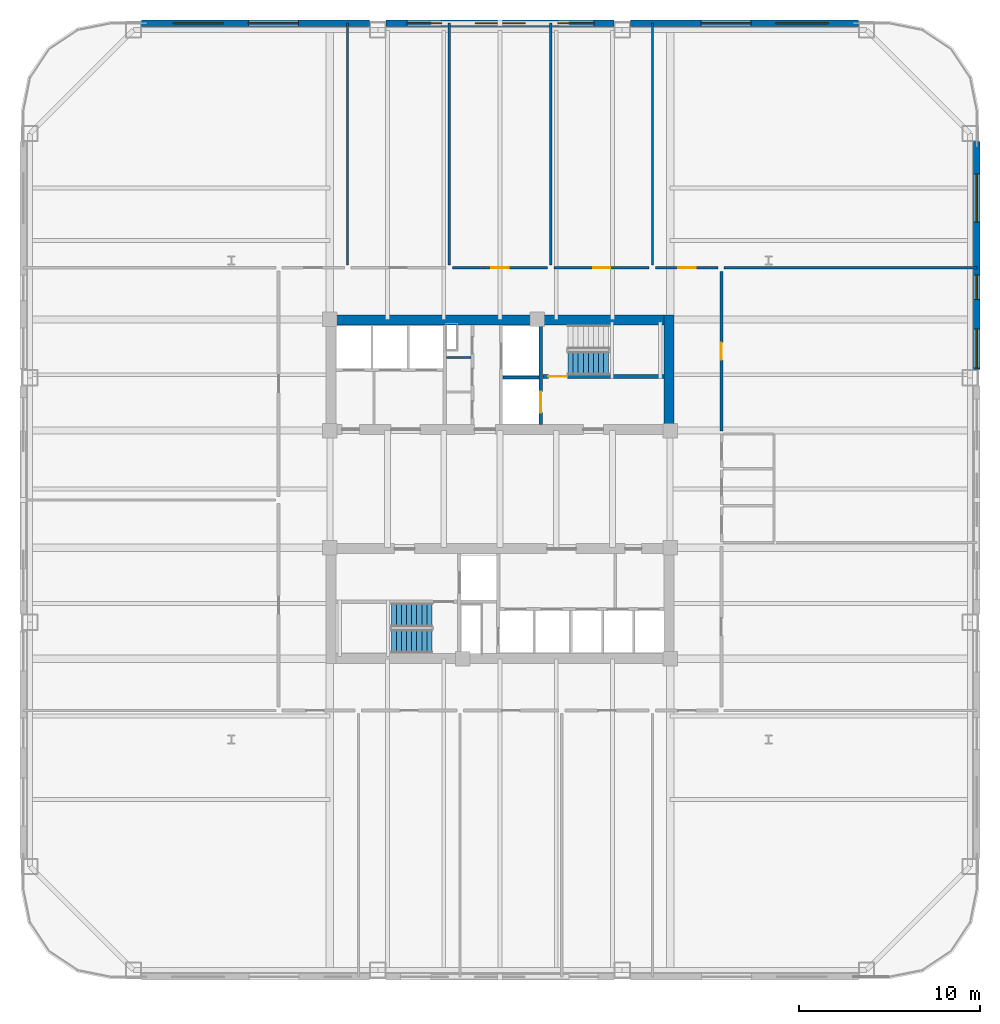
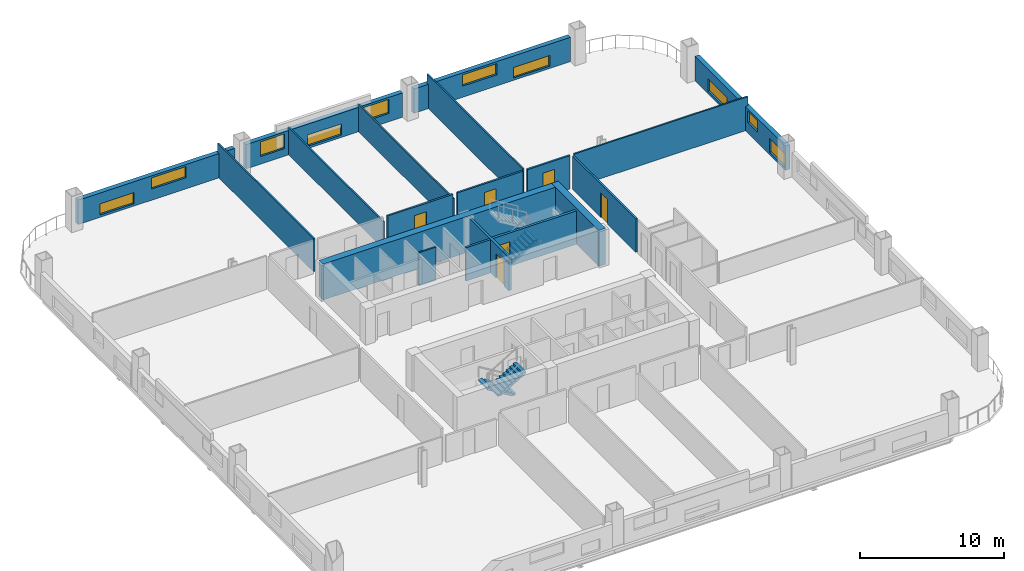
# One storey, part 5 of 12: 19 walls, 10 windows, 6 doors, 3 stair flights, 16 openings, 2 elements without a shape of their own.
"""IFC4 building model written with IfcOpenShell, lengths in metres."""

from ifc_helpers import new_model, si_unit, direction, frame, frame_2d, origin, place, context, subcontext, project, spatial, polyline, rectangle, outline, extrude, material, layer, layer_set, type_object, element, fill, aggregate, save


model = new_model("IFC4")

# Units and contexts
model_context = context("Model", 3, precision=1e-05, world=origin(), true_north=direction((0.0, 1.0)))
body_context = subcontext(model_context, "Body", "Model", "MODEL_VIEW")
ifc_project = project(units=[si_unit("LENGTHUNIT", "METRE"), si_unit("AREAUNIT", "SQUARE_METRE"), si_unit("VOLUMEUNIT", "CUBIC_METRE"), si_unit("PLANEANGLEUNIT", "RADIAN"), si_unit("MASSUNIT", "GRAM", prefix="KILO")], contexts=[model_context])

# Site, building, storey
site_placement = place(None, origin())
site = spatial("IfcSite", under=ifc_project, at=site_placement, CompositionType="ELEMENT")
building_placement = place(site_placement, origin())
building = spatial("IfcBuilding", under=site, at=building_placement, Name="Qhalaya Broadcast Tower", CompositionType="ELEMENT")
storey_placement = place(building_placement, frame((0.0, 0.0, 35.25)))
storey = spatial("IfcBuildingStorey", under=building, at=storey_placement, Name="L09", CompositionType="ELEMENT", Elevation=35.25)

# Wall, opening, door
ifc_material_1 = material(Name="Gypsum Acoustic Partition")
ifc_layer_1 = layer(ifc_material_1, 0.14990234375, Name="Gypsum Acoustic Partition")
ifc_layer_set_1 = layer_set([ifc_layer_1], Name="Gypsum Acoustic Partition")
wall_type_1 = type_object("IfcWallType", Name="Corridor & Tenancy Acoustic Partition 150", PredefinedType="PARTITIONING", material=ifc_layer_set_1)
wall_1_placement = place(storey_placement, frame((-2.6201171875, 12.800048828125, 0.0), z_axis=(0.0, 0.0, 1.0), x_axis=(1.0, 0.0, 0.0)))
wall_1 = element("IfcWall", 1, at=wall_1_placement, inside=storey, type_object=wall_type_1, Name="L09 Partition Wall W-COR-03", PredefinedType="PARTITIONING", context=body_context, shape_type="SweptSolid", body=[
    extrude(rectangle(XDim=5.240234375, YDim=0.14990234375, at=frame_2d((2.6201171875, 0.0))), origin(), (0.0, 0.0, 1.0), 2.830078125),
])
opening_1_placement = place(wall_1_placement, frame((2.14501953125, 0.0, 0.0)))
opening_1 = element("IfcOpeningElement", 2, at=opening_1_placement, cuts=wall_1, Name="Opening D10", PredefinedType="OPENING", context=body_context, shape_type="SweptSolid", body=[
    extrude(rectangle(XDim=0.949951171875, YDim=2.10009765625, at=frame_2d((0.47509765625, 1.050048828125))), frame((0.0, 0.0869140625, 0.0), z_axis=(0.0, -1.0, 0.0), x_axis=(1.0, 0.0, 0.0)), (0.0, 0.0, 1.0), 0.173828125),
])
ifc_material_2 = material(Name="Timber Veneer Acoustic Door", Category="wood")
door_type_1 = type_object("IfcDoorType", Name="Cellular Office & Edit Booth Door D10", OperationType="NOTDEFINED", PredefinedType="DOOR", material=ifc_material_2)
door_1_placement = place(opening_1_placement, origin())
door_1 = element("IfcDoor", 3, at=door_1_placement, inside=storey, type_object=door_type_1, Name="L09 Door D-RM03", OperationType="SINGLE_SWING_LEFT", OverallHeight=2.10009765625, OverallWidth=0.949951171875, PredefinedType="DOOR", context=body_context, shape_type="SweptSolid", body=[
    extrude(rectangle(XDim=0.949951171875, YDim=2.10009765625, at=frame_2d((0.47509765625, 1.050048828125))), frame((0.0, 0.02490234375, 0.0), z_axis=(0.0, -1.0, 0.0), x_axis=(1.0, 0.0, 0.0)), (0.0, 0.0, 1.0), 0.050048828125),
])
fill(opening_1, door_1)

wall_2_placement = place(storey_placement, frame((2.97998046875, 12.800048828125, 0.0), z_axis=(0.0, 0.0, 1.0), x_axis=(1.0, 0.0, 0.0)))
wall_2 = element("IfcWall", 4, at=wall_2_placement, inside=storey, type_object=wall_type_1, Name="L09 Partition Wall W-COR-04", PredefinedType="PARTITIONING", context=body_context, shape_type="SweptSolid", body=[
    extrude(rectangle(XDim=5.239990234375, YDim=0.14990234375, at=frame_2d((2.6201171875, 0.0))), origin(), (0.0, 0.0, 1.0), 2.830078125),
])
opening_2_placement = place(wall_2_placement, frame((2.14501953125, 0.0, 0.0)))
opening_2 = element("IfcOpeningElement", 5, at=opening_2_placement, cuts=wall_2, Name="Opening D10", PredefinedType="OPENING", context=body_context, shape_type="SweptSolid", body=[
    extrude(rectangle(XDim=0.949951171875, YDim=2.10009765625, at=frame_2d((0.47509765625, 1.050048828125))), frame((0.0, 0.0869140625, 0.0), z_axis=(0.0, -1.0, 0.0), x_axis=(1.0, 0.0, 0.0)), (0.0, 0.0, 1.0), 0.173828125),
])
door_2_placement = place(opening_2_placement, origin())
door_2 = element("IfcDoor", 6, at=door_2_placement, inside=storey, type_object=door_type_1, Name="L09 Door D-RM04", OperationType="SINGLE_SWING_RIGHT", OverallHeight=2.10009765625, OverallWidth=0.949951171875, PredefinedType="DOOR", context=body_context, shape_type="SweptSolid", body=[
    extrude(rectangle(XDim=0.949951171875, YDim=2.10009765625, at=frame_2d((0.47509765625, 1.050048828125))), frame((0.0, 0.02490234375, 0.0), z_axis=(0.0, -1.0, 0.0), x_axis=(1.0, 0.0, 0.0)), (0.0, 0.0, 1.0), 0.050048828125),
])
fill(opening_2, door_2)

wall_3_placement = place(storey_placement, frame((8.580078125, 12.800048828125, 0.0), z_axis=(0.0, 0.0, 1.0), x_axis=(1.0, 0.0, 0.0)))
wall_3 = element("IfcWall", 7, at=wall_3_placement, inside=storey, type_object=wall_type_1, Name="L09 Partition Wall W-COR-05", PredefinedType="PARTITIONING", context=body_context, shape_type="SweptSolid", body=[
    extrude(rectangle(XDim=3.43994140625, YDim=0.14990234375, at=frame_2d((1.719970703125, 0.0))), origin(), (0.0, 0.0, 1.0), 2.830078125),
])
opening_3_placement = place(wall_3_placement, frame((1.2451171875, 0.0, 0.0)))
opening_3 = element("IfcOpeningElement", 8, at=opening_3_placement, cuts=wall_3, Name="Opening D10", PredefinedType="OPENING", context=body_context, shape_type="SweptSolid", body=[
    extrude(rectangle(XDim=0.949951171875, YDim=2.10009765625, at=frame_2d((0.47509765625, 1.050048828125))), frame((0.0, 0.0869140625, 0.0), z_axis=(0.0, -1.0, 0.0), x_axis=(1.0, 0.0, 0.0)), (0.0, 0.0, 1.0), 0.173828125),
])
door_3_placement = place(opening_3_placement, origin())
door_3 = element("IfcDoor", 9, at=door_3_placement, inside=storey, type_object=door_type_1, Name="L09 Door D-RM05", OperationType="SINGLE_SWING_LEFT", OverallHeight=2.10009765625, OverallWidth=0.949951171875, PredefinedType="DOOR", context=body_context, shape_type="SweptSolid", body=[
    extrude(rectangle(XDim=0.949951171875, YDim=2.10009765625, at=frame_2d((0.47509765625, 1.050048828125))), frame((0.0, 0.02490234375, 0.0), z_axis=(0.0, -1.0, 0.0), x_axis=(1.0, 0.0, 0.0)), (0.0, 0.0, 1.0), 0.050048828125),
])
fill(opening_3, door_3)

wall_4_placement = place(storey_placement, frame((12.199951171875, 3.800048828125, 0.0), z_axis=(0.0, 0.0, 1.0), x_axis=(0.0, 1.0, 0.0)))
wall_4 = element("IfcWall", 10, at=wall_4_placement, inside=storey, type_object=wall_type_1, Name="L09 Partition Wall W-COR-14", PredefinedType="PARTITIONING", context=body_context, shape_type="SweptSolid", body=[
    extrude(rectangle(XDim=8.800048828125, YDim=0.14990234375, at=frame_2d((4.39990234375, 0.0))), origin(), (0.0, 0.0, 1.0), 2.830078125),
])
opening_4_placement = place(wall_4_placement, frame((3.925048828125, 0.0, 0.0)))
opening_4 = element("IfcOpeningElement", 11, at=opening_4_placement, cuts=wall_4, Name="Opening D10", PredefinedType="OPENING", context=body_context, shape_type="SweptSolid", body=[
    extrude(rectangle(XDim=0.949951171875, YDim=2.10009765625, at=frame_2d((0.47509765625, 1.050048828125))), frame((0.0, 0.0869140625, 0.0), z_axis=(0.0, -1.0, 0.0), x_axis=(1.0, 0.0, 0.0)), (0.0, 0.0, 1.0), 0.173828125),
])
door_4_placement = place(opening_4_placement, origin())
door_4 = element("IfcDoor", 12, at=door_4_placement, inside=storey, type_object=door_type_1, Name="L09 Door D-RM14", OperationType="SINGLE_SWING_RIGHT", OverallHeight=2.10009765625, OverallWidth=0.949951171875, PredefinedType="DOOR", context=body_context, shape_type="SweptSolid", body=[
    extrude(rectangle(XDim=0.949951171875, YDim=2.10009765625, at=frame_2d((0.47509765625, 1.050048828125))), frame((0.0, 0.02490234375, 0.0), z_axis=(0.0, -1.0, 0.0), x_axis=(1.0, 0.0, 0.0)), (0.0, 0.0, 1.0), 0.050048828125),
])
fill(opening_4, door_4)

# Wall, openings, windows
ifc_material_3 = material(Name="Precast Concrete C40/50", Category="concrete")
ifc_layer_2 = layer(ifc_material_3, 0.360107421875, Name="Precast Concrete C40/50")
ifc_layer_set_2 = layer_set([ifc_layer_2], Name="Precast Concrete C40/50")
wall_type_2 = type_object("IfcWallType", Name="Insulated Precast Terracotta Exterior Wall 360", PredefinedType="SOLIDWALL", material=ifc_layer_set_2)
wall_5_placement = place(storey_placement, frame((26.260009765625, 19.761962890625, 0.0), z_axis=(0.0, 0.0, 1.0), x_axis=(0.0, -1.0, 0.0)))
wall_5 = element("IfcWall", 13, at=wall_5_placement, inside=storey, type_object=wall_type_2, Name="L09 Exoskeleton Diagrid Infill Wall E1", PredefinedType="SOLIDWALL", context=body_context, shape_type="SweptSolid", body=[
    extrude(rectangle(XDim=12.57861328125, YDim=0.360107421875, at=frame_2d((6.289306640625, 0.0))), origin(), (0.0, 0.0, 1.0), 2.06689453125),
])
opening_5_placement = place(wall_5_placement, frame((1.800048828125, 0.0, 0.199951171875)))
opening_5 = element("IfcOpeningElement", 14, at=opening_5_placement, cuts=wall_5, Name="Opening W11", PredefinedType="OPENING", context=body_context, shape_type="SweptSolid", body=[
    extrude(rectangle(XDim=2.64990234375, YDim=1.050048828125, at=frame_2d((1.324951171875, 0.52490234375))), frame((0.0, 0.192138671875, 0.0), z_axis=(0.0, -1.0, 0.0), x_axis=(1.0, 0.0, 0.0)), (0.0, 0.0, 1.0), 0.384033203125),
])
opening_6_placement = place(wall_5_placement, frame((7.35009765625, 0.0, 0.89990234375)))
opening_6 = element("IfcOpeningElement", 15, at=opening_6_placement, cuts=wall_5, Name="Opening W11", PredefinedType="OPENING", context=body_context, shape_type="SweptSolid", body=[
    extrude(rectangle(XDim=1.35009765625, YDim=1.0, at=frame_2d((0.675048828125, 0.5))), frame((0.0, 0.192138671875, 0.0), z_axis=(0.0, -1.0, 0.0), x_axis=(1.0, 0.0, 0.0)), (0.0, 0.0, 1.0), 0.384033203125),
])
opening_7_placement = place(wall_5_placement, frame((10.35009765625, 0.0, 0.199951171875)))
opening_7 = element("IfcOpeningElement", 16, at=opening_7_placement, cuts=wall_5, Name="Opening W11", PredefinedType="OPENING", context=body_context, shape_type="SweptSolid", body=[
    extrude(rectangle(XDim=2.14990234375, YDim=1.199951171875, at=frame_2d((1.074951171875, 0.60009765625))), frame((0.0, 0.192138671875, 0.0), z_axis=(0.0, -1.0, 0.0), x_axis=(1.0, 0.0, 0.0)), (0.0, 0.0, 1.0), 0.384033203125),
])
ifc_material_4 = material(Name="Solar-Control Low-E Triple Glazing", Category="glass")
window_type = type_object("IfcWindowType", Name="Odd-Block Diagrid Infill Window W11", PartitioningType="SINGLE_PANEL", PredefinedType="WINDOW", material=ifc_material_4)
window_1_placement = place(opening_5_placement, origin())
window_1 = element("IfcWindow", 17, at=window_1_placement, inside=storey, type_object=window_type, Name="L09 Diagrid Infill Window W11-E1", OverallHeight=1.050048828125, OverallWidth=2.64990234375, PartitioningType="SINGLE_PANEL", PredefinedType="WINDOW", context=body_context, shape_type="SweptSolid", body=[
    extrude(rectangle(XDim=2.64990234375, YDim=1.050048828125, at=frame_2d((1.324951171875, 0.52490234375))), frame((0.0, 0.030029296875, 0.0), z_axis=(0.0, -1.0, 0.0), x_axis=(1.0, 0.0, 0.0)), (0.0, 0.0, 1.0), 0.06005859375),
])
fill(opening_5, window_1)
window_2_placement = place(opening_6_placement, origin())
window_2 = element("IfcWindow", 18, at=window_2_placement, inside=storey, type_object=window_type, Name="L09 Diagrid Infill Window W11-E2", OverallHeight=1.0, OverallWidth=1.35009765625, PartitioningType="SINGLE_PANEL", PredefinedType="WINDOW", context=body_context, shape_type="SweptSolid", body=[
    extrude(rectangle(XDim=1.35009765625, YDim=1.0, at=frame_2d((0.675048828125, 0.5))), frame((0.0, 0.030029296875, 0.0), z_axis=(0.0, -1.0, 0.0), x_axis=(1.0, 0.0, 0.0)), (0.0, 0.0, 1.0), 0.06005859375),
])
fill(opening_6, window_2)
window_3_placement = place(opening_7_placement, origin())
window_3 = element("IfcWindow", 19, at=window_3_placement, inside=storey, type_object=window_type, Name="L09 Diagrid Infill Window W11-E3", OverallHeight=1.199951171875, OverallWidth=2.14990234375, PartitioningType="SINGLE_PANEL", PredefinedType="WINDOW", context=body_context, shape_type="SweptSolid", body=[
    extrude(rectangle(XDim=2.14990234375, YDim=1.199951171875, at=frame_2d((1.074951171875, 0.60009765625))), frame((0.0, 0.030029296875, 0.0), z_axis=(0.0, -1.0, 0.0), x_axis=(1.0, 0.0, 0.0)), (0.0, 0.0, 1.0), 0.06005859375),
])
fill(opening_7, window_3)

wall_6_placement = place(storey_placement, frame((-19.761962890625, 26.260009765625, 0.0), z_axis=(0.0, 0.0, 1.0), x_axis=(1.0, 0.0, 0.0)))
wall_6 = element("IfcWall", 20, at=wall_6_placement, inside=storey, type_object=wall_type_2, Name="L09 Exoskeleton Diagrid Infill Wall N1", PredefinedType="SOLIDWALL", context=body_context, shape_type="SweptSolid", body=[
    extrude(rectangle(XDim=12.57861328125, YDim=0.360107421875, at=frame_2d((6.289306640625, 0.0))), origin(), (0.0, 0.0, 1.0), 2.06689453125),
])
opening_8_placement = place(wall_6_placement, frame((1.75, 0.0, 0.199951171875)))
opening_8 = element("IfcOpeningElement", 21, at=opening_8_placement, cuts=wall_6, Name="Opening W11", PredefinedType="OPENING", context=body_context, shape_type="SweptSolid", body=[
    extrude(rectangle(XDim=2.75, YDim=0.949951171875, at=frame_2d((1.375, 0.47509765625))), frame((0.0, 0.192138671875, 0.0), z_axis=(0.0, -1.0, 0.0), x_axis=(1.0, 0.0, 0.0)), (0.0, 0.0, 1.0), 0.384033203125),
])
opening_9_placement = place(wall_6_placement, frame((5.89990234375, 0.0, 0.949951171875)))
opening_9 = element("IfcOpeningElement", 22, at=opening_9_placement, cuts=wall_6, Name="Opening W11", PredefinedType="OPENING", context=body_context, shape_type="SweptSolid", body=[
    extrude(rectangle(XDim=2.75, YDim=0.949951171875, at=frame_2d((1.375, 0.47509765625))), frame((0.0, 0.192138671875, 0.0), z_axis=(0.0, -1.0, 0.0), x_axis=(1.0, 0.0, 0.0)), (0.0, 0.0, 1.0), 0.384033203125),
])
window_4_placement = place(opening_8_placement, origin())
window_4 = element("IfcWindow", 23, at=window_4_placement, inside=storey, type_object=window_type, Name="L09 Diagrid Infill Window W11-N1", OverallHeight=0.949951171875, OverallWidth=2.75, PartitioningType="SINGLE_PANEL", PredefinedType="WINDOW", context=body_context, shape_type="SweptSolid", body=[
    extrude(rectangle(XDim=2.75, YDim=0.949951171875, at=frame_2d((1.375, 0.47509765625))), frame((0.0, 0.030029296875, 0.0), z_axis=(0.0, -1.0, 0.0), x_axis=(1.0, 0.0, 0.0)), (0.0, 0.0, 1.0), 0.06005859375),
])
fill(opening_8, window_4)
window_5_placement = place(opening_9_placement, origin())
window_5 = element("IfcWindow", 24, at=window_5_placement, inside=storey, type_object=window_type, Name="L09 Diagrid Infill Window W11-N2", OverallHeight=0.949951171875, OverallWidth=2.75, PartitioningType="SINGLE_PANEL", PredefinedType="WINDOW", context=body_context, shape_type="SweptSolid", body=[
    extrude(rectangle(XDim=2.75, YDim=0.949951171875, at=frame_2d((1.375, 0.47509765625))), frame((0.0, 0.030029296875, 0.0), z_axis=(0.0, -1.0, 0.0), x_axis=(1.0, 0.0, 0.0)), (0.0, 0.0, 1.0), 0.06005859375),
])
fill(opening_9, window_5)

wall_7_placement = place(storey_placement, frame((-6.283203125, 26.260009765625, 0.0), z_axis=(0.0, 0.0, 1.0), x_axis=(1.0, 0.0, 0.0)))
wall_7 = element("IfcWall", 25, at=wall_7_placement, inside=storey, type_object=wall_type_2, Name="L09 Exoskeleton Diagrid Infill Wall N2", PredefinedType="SOLIDWALL", context=body_context, shape_type="SweptSolid", body=[
    extrude(rectangle(XDim=12.56640625, YDim=0.360107421875, at=frame_2d((6.283203125, 0.0))), origin(), (0.0, 0.0, 1.0), 2.06689453125),
])
opening_10_placement = place(wall_7_placement, frame((1.1708984375, 0.0, 0.64990234375)))
opening_10 = element("IfcOpeningElement", 26, at=opening_10_placement, cuts=wall_7, Name="Opening W11", PredefinedType="OPENING", context=body_context, shape_type="SweptSolid", body=[
    extrude(rectangle(XDim=1.89990234375, YDim=1.25, at=frame_2d((0.949951171875, 0.625))), frame((0.0, 0.192138671875, 0.0), z_axis=(0.0, -1.0, 0.0), x_axis=(1.0, 0.0, 0.0)), (0.0, 0.0, 1.0), 0.384033203125),
])
opening_11_placement = place(wall_7_placement, frame((4.9208984375, 0.0, 0.199951171875)))
opening_11 = element("IfcOpeningElement", 27, at=opening_11_placement, cuts=wall_7, Name="Opening W11", PredefinedType="OPENING", context=body_context, shape_type="SweptSolid", body=[
    extrude(rectangle(XDim=2.75, YDim=0.949951171875, at=frame_2d((1.375, 0.47509765625))), frame((0.0, 0.192138671875, 0.0), z_axis=(0.0, -1.0, 0.0), x_axis=(1.0, 0.0, 0.0)), (0.0, 0.0, 1.0), 0.384033203125),
])
opening_12_placement = place(wall_7_placement, frame((9.470947265625, 0.0, 0.699951171875)))
opening_12 = element("IfcOpeningElement", 28, at=opening_12_placement, cuts=wall_7, Name="Opening W11", PredefinedType="OPENING", context=body_context, shape_type="SweptSolid", body=[
    extrude(rectangle(XDim=2.0, YDim=1.199951171875, at=frame_2d((1.0, 0.60009765625))), frame((0.0, 0.192138671875, 0.0), z_axis=(0.0, -1.0, 0.0), x_axis=(1.0, 0.0, 0.0)), (0.0, 0.0, 1.0), 0.384033203125),
])
window_6_placement = place(opening_10_placement, origin())
window_6 = element("IfcWindow", 29, at=window_6_placement, inside=storey, type_object=window_type, Name="L09 Diagrid Infill Window W11-N3", OverallHeight=1.25, OverallWidth=1.89990234375, PartitioningType="SINGLE_PANEL", PredefinedType="WINDOW", context=body_context, shape_type="SweptSolid", body=[
    extrude(rectangle(XDim=1.89990234375, YDim=1.25, at=frame_2d((0.949951171875, 0.625))), frame((0.0, 0.030029296875, 0.0), z_axis=(0.0, -1.0, 0.0), x_axis=(1.0, 0.0, 0.0)), (0.0, 0.0, 1.0), 0.06005859375),
])
fill(opening_10, window_6)
window_7_placement = place(opening_11_placement, origin())
window_7 = element("IfcWindow", 30, at=window_7_placement, inside=storey, type_object=window_type, Name="L09 Diagrid Infill Window W11-N4", OverallHeight=0.949951171875, OverallWidth=2.75, PartitioningType="SINGLE_PANEL", PredefinedType="WINDOW", context=body_context, shape_type="SweptSolid", body=[
    extrude(rectangle(XDim=2.75, YDim=0.949951171875, at=frame_2d((1.375, 0.47509765625))), frame((0.0, 0.030029296875, 0.0), z_axis=(0.0, -1.0, 0.0), x_axis=(1.0, 0.0, 0.0)), (0.0, 0.0, 1.0), 0.06005859375),
])
fill(opening_11, window_7)
window_8_placement = place(opening_12_placement, origin())
window_8 = element("IfcWindow", 31, at=window_8_placement, inside=storey, type_object=window_type, Name="L09 Diagrid Infill Window W11-N5", OverallHeight=1.199951171875, OverallWidth=2.0, PartitioningType="SINGLE_PANEL", PredefinedType="WINDOW", context=body_context, shape_type="SweptSolid", body=[
    extrude(rectangle(XDim=2.0, YDim=1.199951171875, at=frame_2d((1.0, 0.60009765625))), frame((0.0, 0.030029296875, 0.0), z_axis=(0.0, -1.0, 0.0), x_axis=(1.0, 0.0, 0.0)), (0.0, 0.0, 1.0), 0.06005859375),
])
fill(opening_12, window_8)

wall_8_placement = place(storey_placement, frame((7.183349609375, 26.260009765625, 0.0), z_axis=(0.0, 0.0, 1.0), x_axis=(1.0, 0.0, 0.0)))
wall_8 = element("IfcWall", 32, at=wall_8_placement, inside=storey, type_object=wall_type_2, Name="L09 Exoskeleton Diagrid Infill Wall N3", PredefinedType="SOLIDWALL", context=body_context, shape_type="SweptSolid", body=[
    extrude(rectangle(XDim=12.57861328125, YDim=0.360107421875, at=frame_2d((6.289306640625, 0.0))), origin(), (0.0, 0.0, 1.0), 2.06689453125),
])
opening_13_placement = place(wall_8_placement, frame((3.905029296875, 0.0, 0.949951171875)))
opening_13 = element("IfcOpeningElement", 33, at=opening_13_placement, cuts=wall_8, Name="Opening W11", PredefinedType="OPENING", context=body_context, shape_type="SweptSolid", body=[
    extrude(rectangle(XDim=2.75, YDim=0.949951171875, at=frame_2d((1.375, 0.47509765625))), frame((0.0, 0.192138671875, 0.0), z_axis=(0.0, -1.0, 0.0), x_axis=(1.0, 0.0, 0.0)), (0.0, 0.0, 1.0), 0.384033203125),
])
opening_14_placement = place(wall_8_placement, frame((8.0048828125, 0.0, 0.199951171875)))
opening_14 = element("IfcOpeningElement", 34, at=opening_14_placement, cuts=wall_8, Name="Opening W11", PredefinedType="OPENING", context=body_context, shape_type="SweptSolid", body=[
    extrude(rectangle(XDim=2.89990234375, YDim=0.89990234375, at=frame_2d((1.449951171875, 0.449951171875))), frame((0.0, 0.192138671875, 0.0), z_axis=(0.0, -1.0, 0.0), x_axis=(1.0, 0.0, 0.0)), (0.0, 0.0, 1.0), 0.384033203125),
])
window_9_placement = place(opening_13_placement, origin())
window_9 = element("IfcWindow", 35, at=window_9_placement, inside=storey, type_object=window_type, Name="L09 Diagrid Infill Window W11-N6", OverallHeight=0.949951171875, OverallWidth=2.75, PartitioningType="SINGLE_PANEL", PredefinedType="WINDOW", context=body_context, shape_type="SweptSolid", body=[
    extrude(rectangle(XDim=2.75, YDim=0.949951171875, at=frame_2d((1.375, 0.47509765625))), frame((0.0, 0.030029296875, 0.0), z_axis=(0.0, -1.0, 0.0), x_axis=(1.0, 0.0, 0.0)), (0.0, 0.0, 1.0), 0.06005859375),
])
fill(opening_13, window_9)
window_10_placement = place(opening_14_placement, origin())
window_10 = element("IfcWindow", 36, at=window_10_placement, inside=storey, type_object=window_type, Name="L09 Diagrid Infill Window W11-N7", OverallHeight=0.89990234375, OverallWidth=2.89990234375, PartitioningType="SINGLE_PANEL", PredefinedType="WINDOW", context=body_context, shape_type="SweptSolid", body=[
    extrude(rectangle(XDim=2.89990234375, YDim=0.89990234375, at=frame_2d((1.449951171875, 0.449951171875))), frame((0.0, 0.030029296875, 0.0), z_axis=(0.0, -1.0, 0.0), x_axis=(1.0, 0.0, 0.0)), (0.0, 0.0, 1.0), 0.06005859375),
])
fill(opening_14, window_10)

# Wall, opening, door
ifc_material_5 = material(Name="Concrete C50/60", Category="concrete")
ifc_layer_3 = layer(ifc_material_5, 0.199951171875, Name="Concrete C50/60")
ifc_layer_set_3 = layer_set([ifc_layer_3], Name="Concrete C50/60")
wall_type_3 = type_object("IfcWallType", Name="Load-Bearing Stair Shaft Wall 200", PredefinedType="SHEAR", material=ifc_layer_set_3)
wall_9_placement = place(storey_placement, frame((2.360107421875, 6.804931640625, 0.0), z_axis=(0.0, 0.0, 1.0), x_axis=(1.0, 0.0, 0.0)))
wall_9 = element("IfcWall", 37, at=wall_9_placement, inside=storey, type_object=wall_type_3, Name="L09 Stair Core Shear Wall NCW-ST1", PredefinedType="SHEAR", context=body_context, shape_type="SweptSolid", body=[
    extrude(rectangle(XDim=6.669921875, YDim=0.199951171875, at=frame_2d((3.3349609375, 0.0))), origin(), (0.0, 0.0, 1.0), 2.830078125),
])
opening_15_placement = place(wall_9_placement, frame((0.300048828125, 0.0, 0.0)))
opening_15 = element("IfcOpeningElement", 38, at=opening_15_placement, cuts=wall_9, Name="Opening D03", PredefinedType="OPENING", context=body_context, shape_type="SweptSolid", body=[
    extrude(rectangle(XDim=1.050048828125, YDim=2.080078125, at=frame_2d((0.52490234375, 1.0400390625))), frame((0.0, 0.112060546875, 0.0), z_axis=(0.0, -1.0, 0.0), x_axis=(1.0, 0.0, 0.0)), (0.0, 0.0, 1.0), 0.223876953125),
])
ifc_material_6 = material(Name="Fire-Rated Steel Door", Category="steel")
door_type_2 = type_object("IfcDoorType", Name="Core Stair Protected Fire Door D03", OperationType="NOTDEFINED", PredefinedType="DOOR", material=ifc_material_6)
door_5_placement = place(opening_15_placement, origin())
door_5 = element("IfcDoor", 39, at=door_5_placement, inside=storey, type_object=door_type_2, Name="L09 Door D-NST1", OperationType="SINGLE_SWING_LEFT", OverallHeight=2.080078125, OverallWidth=1.050048828125, PredefinedType="DOOR", context=body_context, shape_type="SweptSolid", body=[
    extrude(rectangle(XDim=1.050048828125, YDim=2.080078125, at=frame_2d((0.52490234375, 1.0400390625))), frame((0.0, 0.02490234375, 0.0), z_axis=(0.0, -1.0, 0.0), x_axis=(1.0, 0.0, 0.0)), (0.0, 0.0, 1.0), 0.050048828125),
])
fill(opening_15, door_5)

wall_10_placement = place(storey_placement, frame((2.25, 4.169921875, 0.0), z_axis=(0.0, 0.0, 1.0), x_axis=(0.0, 1.0, 0.0)))
wall_10 = element("IfcWall", 40, at=wall_10_placement, inside=storey, type_object=wall_type_3, Name="L09 Stair Core Shear Wall NCW-FF", PredefinedType="SHEAR", context=body_context, shape_type="SweptSolid", body=[
    extrude(rectangle(XDim=5.4599609375, YDim=0.199951171875, at=frame_2d((2.72998046875, 0.0))), origin(), (0.0, 0.0, 1.0), 2.830078125),
])
opening_16_placement = place(wall_10_placement, frame((0.64990234375, 0.0, 0.0)))
opening_16 = element("IfcOpeningElement", 41, at=opening_16_placement, cuts=wall_10, Name="Opening LD2", PredefinedType="OPENING", context=body_context, shape_type="SweptSolid", body=[
    extrude(rectangle(XDim=1.14990234375, YDim=2.080078125, at=frame_2d((0.574951171875, 1.0400390625))), frame((0.0, 0.112060546875, 0.0), z_axis=(0.0, -1.0, 0.0), x_axis=(1.0, 0.0, 0.0)), (0.0, 0.0, 1.0), 0.223876953125),
])
ifc_material_7 = material(Name="Brushed Stainless Steel Lift Door", Category="steel")
door_type_3 = type_object("IfcDoorType", Name="Firefighting Lift Sliding Landing Door LD2", OperationType="DOUBLE_DOOR_SLIDING", PredefinedType="DOOR", material=ifc_material_7)
door_6_placement = place(opening_16_placement, origin())
door_6 = element("IfcDoor", 42, at=door_6_placement, inside=storey, type_object=door_type_3, Name="L09 Door LD-FF1", OperationType="DOUBLE_DOOR_SLIDING", OverallHeight=2.080078125, OverallWidth=1.14990234375, PredefinedType="DOOR", context=body_context, shape_type="SweptSolid", body=[
    extrude(rectangle(XDim=1.14990234375, YDim=2.080078125, at=frame_2d((0.574951171875, 1.0400390625))), frame((0.0, 0.02490234375, 0.0), z_axis=(0.0, -1.0, 0.0), x_axis=(1.0, 0.0, 0.0)), (0.0, 0.0, 1.0), 0.050048828125),
])
fill(opening_16, door_6)

# Walls
ifc_material_8 = material(Name="Concrete C60/75", Category="concrete")
ifc_layer_4 = layer(ifc_material_8, 0.550048828125, Name="Concrete C60/75")
ifc_layer_set_4 = layer_set([ifc_layer_4], Name="Concrete C60/75")
wall_type_4 = type_object("IfcWallType", Name="Lower Split-Core Shear Wall 550", PredefinedType="SHEAR", material=ifc_layer_set_4)
wall_11_placement = place(storey_placement, frame((-9.60009765625, 9.925048828125, 0.0), z_axis=(0.0, 0.0, 1.0), x_axis=(1.0, 0.0, 0.0)))
element("IfcWall", 43, at=wall_11_placement, inside=storey, type_object=wall_type_4, Name="L09 Split-Core Shear Wall CW-NN", PredefinedType="SHEAR", context=body_context, shape_type="SweptSolid", body=[
    extrude(rectangle(XDim=19.2001953125, YDim=0.550048828125, at=frame_2d((9.60009765625, 0.0))), origin(), (0.0, 0.0, 1.0), 3.050048828125),
])
wall_12_placement = place(storey_placement, frame((9.324951171875, 3.60009765625, 0.0), z_axis=(0.0, 0.0, 1.0), x_axis=(0.0, 1.0, 0.0)))
element("IfcWall", 44, at=wall_12_placement, inside=storey, type_object=wall_type_4, Name="L09 Split-Core Shear Wall CW-NE", PredefinedType="SHEAR", context=body_context, shape_type="SweptSolid", body=[
    extrude(rectangle(XDim=6.599853515625, YDim=0.550048828125, at=frame_2d((3.2998046875, 0.0))), origin(), (0.0, 0.0, 1.0), 3.050048828125),
])
ifc_layer_5 = layer(ifc_material_1, 0.1201171875, Name="Gypsum Acoustic Partition")
ifc_layer_set_5 = layer_set([ifc_layer_5], Name="Gypsum Acoustic Partition")
wall_type_5 = type_object("IfcWallType", Name="Office, Booth & Sanitary Partition 120", PredefinedType="PARTITIONING", material=ifc_layer_set_5)
wall_13_placement = place(storey_placement, frame((-2.9599609375, 7.85009765625, 0.0), z_axis=(0.0, 0.0, 1.0), x_axis=(1.0, 0.0, 0.0)))
element("IfcWall", 45, at=wall_13_placement, inside=storey, type_object=wall_type_5, Name="L09 Partition Wall NCW-VB2", PredefinedType="PARTITIONING", context=body_context, shape_type="SweptSolid", body=[
    extrude(rectangle(XDim=1.35986328125, YDim=0.1201171875, at=frame_2d((0.679931640625, 0.0))), origin(), (0.0, 0.0, 1.0), 2.830078125),
])
wall_14_placement = place(storey_placement, frame((12.340087890625, 12.800048828125, 0.0), z_axis=(0.0, 0.0, 1.0), x_axis=(1.0, 0.0, 0.0)))
element("IfcWall", 46, at=wall_14_placement, inside=storey, type_object=wall_type_5, Name="L09 Partition Wall W-BNDE1", PredefinedType="PARTITIONING", context=body_context, shape_type="SweptSolid", body=[
    extrude(rectangle(XDim=13.93994140625, YDim=0.1201171875, at=frame_2d((6.969970703125, 0.0))), origin(), (0.0, 0.0, 1.0), 2.830078125),
])
wall_15_placement = place(storey_placement, frame((-8.39990234375, 12.9599609375, 0.0), z_axis=(0.0, 0.0, 1.0), x_axis=(0.0, 1.0, 0.0)))
element("IfcWall", 47, at=wall_15_placement, inside=storey, type_object=wall_type_5, Name="L09 Partition Wall W-DIVN1", PredefinedType="PARTITIONING", context=body_context, shape_type="SweptSolid", body=[
    extrude(rectangle(XDim=13.320068359375, YDim=0.1201171875, at=frame_2d((6.66015625, 0.0))), origin(), (0.0, 0.0, 1.0), 2.830078125),
])
for number, where, z_axis, x_axis, name in (
    (48, (-2.800048828125, 12.9599609375, 0.0), (0.0, 0.0, 1.0), (0.0, 1.0, 0.0), "L09 Partition Wall W-DIVN2"),
    (49, (2.800048828125, 12.9599609375, 0.0), (0.0, 0.0, 1.0), (0.0, 1.0, 0.0), "L09 Partition Wall W-DIVN3"),
):
    element("IfcWall", number, at=place(storey_placement, frame(where, z_axis=z_axis, x_axis=x_axis)), inside=storey, type_object=wall_type_5, Name=name, PredefinedType="PARTITIONING", context=body_context, shape_type="SweptSolid", body=[
        extrude(rectangle(XDim=13.320068359375, YDim=0.1201171875, at=frame_2d((6.66015625, 0.0))), origin(), (0.0, 0.0, 1.0), 2.27392578125),
    ])
wall_16_placement = place(storey_placement, frame((8.39990234375, 12.9599609375, 0.0), z_axis=(0.0, 0.0, 1.0), x_axis=(0.0, 1.0, 0.0)))
element("IfcWall", 50, at=wall_16_placement, inside=storey, type_object=wall_type_5, Name="L09 Partition Wall W-DIVN4", PredefinedType="PARTITIONING", context=body_context, shape_type="SweptSolid", body=[
    extrude(rectangle(XDim=13.320068359375, YDim=0.1201171875, at=frame_2d((6.66015625, 0.0))), origin(), (0.0, 0.0, 1.0), 2.830078125),
])
ifc_layer_6 = layer(ifc_material_1, 0.175048828125, Name="Gypsum Acoustic Partition")
ifc_layer_set_6 = layer_set([ifc_layer_6], Name="Gypsum Acoustic Partition")
wall_type_6 = type_object("IfcWallType", Name="Shaft & Riser Fire Partition 175", PredefinedType="PARTITIONING", material=ifc_layer_set_6)
wall_17_placement = place(storey_placement, frame((0.159912109375, 6.75, 0.0), z_axis=(0.0, 0.0, 1.0), x_axis=(1.0, 0.0, 0.0)))
element("IfcWall", 51, at=wall_17_placement, inside=storey, type_object=wall_type_6, Name="L09 Partition Wall NCW-SVM", PredefinedType="PARTITIONING", context=body_context, shape_type="SweptSolid", body=[
    extrude(rectangle(XDim=1.97998046875, YDim=0.175048828125, at=frame_2d((0.989990234375, 0.0))), origin(), (0.0, 0.0, 1.0), 2.830078125),
])

# Stair, stair flight
ifc_material_9 = material(Name="Concrete C40/50", Category="concrete")
stair_type = type_object("IfcStairType", Name="Protected Dogleg Core Stair 3150", PredefinedType="TWO_STRAIGHT_RUN_STAIR", material=ifc_material_9)
stair_1_placement = place(storey_placement, origin())
stair_1 = element("IfcStair", 52, at=stair_1_placement, inside=storey, type_object=stair_type, Name="L09 North Core Exit Stair ST-1", PredefinedType="TWO_STRAIGHT_RUN_STAIR")
stair_flight_type = type_object("IfcStairFlightType", Name="Precast Concrete Stair Flight 3150", PredefinedType="STRAIGHT", material=ifc_material_3)
stair_flight_1_placement = place(storey_placement, frame((3.75, 7.5400390625, 0.0), z_axis=(0.0, 0.0, 1.0), x_axis=(1.0, 0.0, 0.0)))
stair_flight_1 = element("IfcStairFlight", 53, at=stair_flight_1_placement, type_object=stair_flight_type, Name="ST-1 flight 1", NumberOfRisers=9, NumberOfTreads=8, PredefinedType="STRAIGHT", RiserHeight=0.169444444, TreadLength=0.28, context=body_context, shape_type="SweptSolid", body=[
    extrude(outline(polyline([(0.0, 0.0), (0.0, 0.16943359375), (0.280029296875, 0.16943359375), (0.280029296875, 0.3388671875), (0.56005859375, 0.3388671875), (0.56005859375, 0.50830078125), (0.840087890625, 0.50830078125), (0.840087890625, 0.677734375), (1.1201171875, 0.677734375), (1.1201171875, 0.84716796875), (1.39990234375, 0.84716796875), (1.39990234375, 1.0166015625), (1.679931640625, 1.0166015625), (1.679931640625, 1.18603515625), (1.9599609375, 1.18603515625), (1.9599609375, 1.35546875), (2.239990234375, 1.35546875), (2.239990234375, 1.52490234375), (2.239990234375, 1.180419921875), (0.28955078125, 0.0), (0.0, 0.0)])), frame((0.0, 0.66015625, 0.0), z_axis=(0.0, -1.0, 0.0), x_axis=(1.0, 0.0, 0.0)), (0.0, 0.0, 1.0), 1.320068359375),
])
aggregate(stair_1, [stair_flight_1])

# Stair, stair flights
stair_2_placement = place(storey_placement, origin())
stair_2 = element("IfcStair", 54, at=stair_2_placement, inside=storey, type_object=stair_type, Name="L09 South Core Exit Stair ST-2", PredefinedType="TWO_STRAIGHT_RUN_STAIR")
stair_flight_2_placement = place(storey_placement, frame((-3.75, -6.340087890625, 0.0), z_axis=(0.0, 0.0, 1.0), x_axis=(-1.0, 0.0, 0.0)))
stair_flight_2 = element("IfcStairFlight", 55, at=stair_flight_2_placement, type_object=stair_flight_type, Name="ST-2 flight 1", NumberOfRisers=9, NumberOfTreads=8, PredefinedType="STRAIGHT", RiserHeight=0.169444444, TreadLength=0.28, context=body_context, shape_type="SweptSolid", body=[
    extrude(outline(polyline([(0.0, 0.0), (0.0, 0.16943359375), (0.280029296875, 0.16943359375), (0.280029296875, 0.3388671875), (0.56005859375, 0.3388671875), (0.56005859375, 0.50830078125), (0.840087890625, 0.50830078125), (0.840087890625, 0.677734375), (1.1201171875, 0.677734375), (1.1201171875, 0.84716796875), (1.39990234375, 0.84716796875), (1.39990234375, 1.0166015625), (1.679931640625, 1.0166015625), (1.679931640625, 1.18603515625), (1.9599609375, 1.18603515625), (1.9599609375, 1.35546875), (2.239990234375, 1.35546875), (2.239990234375, 1.52490234375), (2.239990234375, 1.180419921875), (0.28955078125, 0.0), (0.0, 0.0)])), frame((0.0, 0.66015625, 0.0), z_axis=(0.0, -1.0, 0.0), x_axis=(1.0, 0.0, 0.0)), (0.0, 0.0, 1.0), 1.320068359375),
])
stair_flight_3_placement = place(storey_placement, frame((-5.989990234375, -7.780029296875, 1.52490234375), z_axis=(0.0, 0.0, 1.0), x_axis=(1.0, 0.0, 0.0)))
stair_flight_3 = element("IfcStairFlight", 56, at=stair_flight_3_placement, type_object=stair_flight_type, Name="ST-2 flight 2", NumberOfRisers=9, NumberOfTreads=8, PredefinedType="STRAIGHT", RiserHeight=0.169444444, TreadLength=0.28, context=body_context, shape_type="SweptSolid", body=[
    extrude(outline(polyline([(0.0, 0.0), (0.0, 0.16943359375), (0.280029296875, 0.16943359375), (0.280029296875, 0.3388671875), (0.56005859375, 0.3388671875), (0.56005859375, 0.50830078125), (0.840087890625, 0.50830078125), (0.840087890625, 0.677734375), (1.1201171875, 0.677734375), (1.1201171875, 0.84716796875), (1.39990234375, 0.84716796875), (1.39990234375, 1.0166015625), (1.679931640625, 1.0166015625), (1.679931640625, 1.18603515625), (1.9599609375, 1.18603515625), (1.9599609375, 1.35546875), (2.239990234375, 1.35546875), (2.239990234375, 1.52490234375), (2.239990234375, 1.180419921875), (0.28955078125, 0.0), (0.0, 0.0)])), frame((0.0, 0.66015625, 0.0), z_axis=(0.0, -1.0, 0.0), x_axis=(1.0, 0.0, 0.0)), (0.0, 0.0, 1.0), 1.320068359375),
])
aggregate(stair_2, [stair_flight_2, stair_flight_3])

save(model, "model.ifc")
